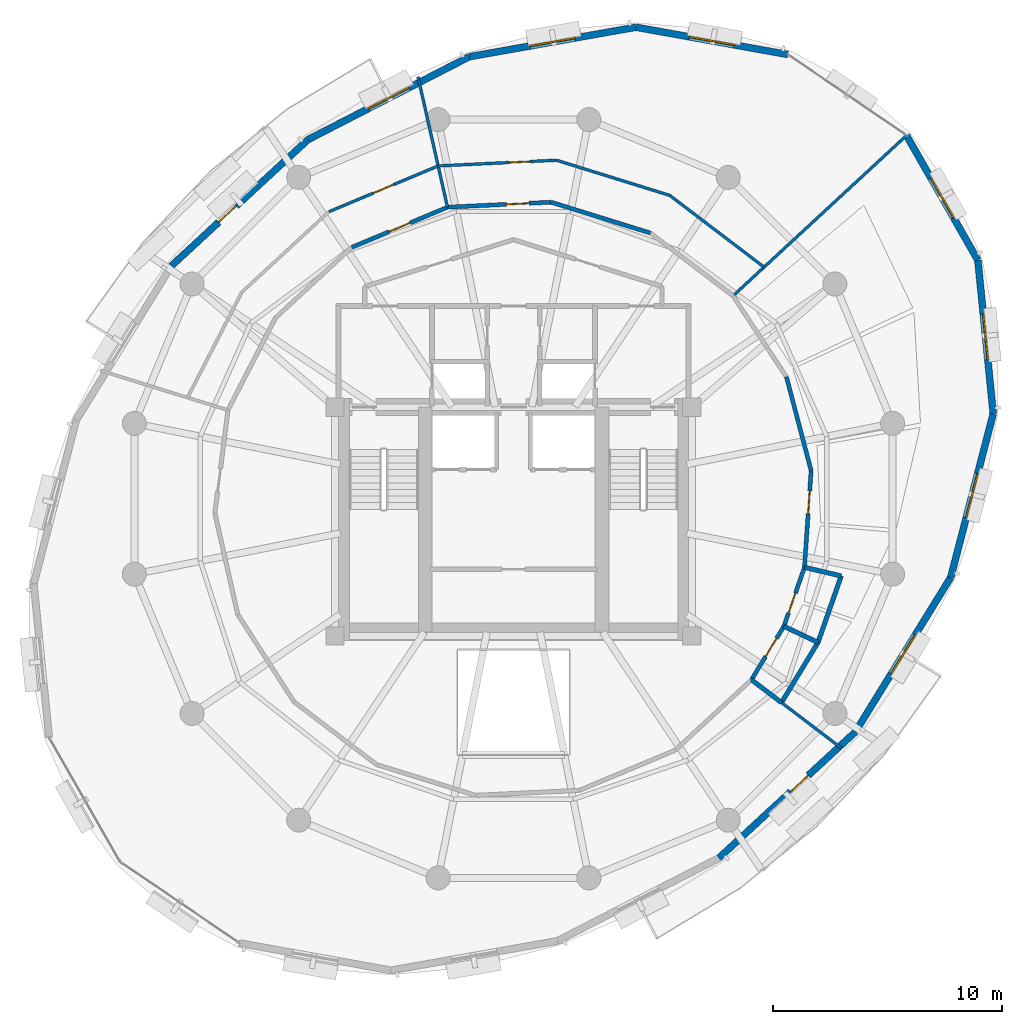
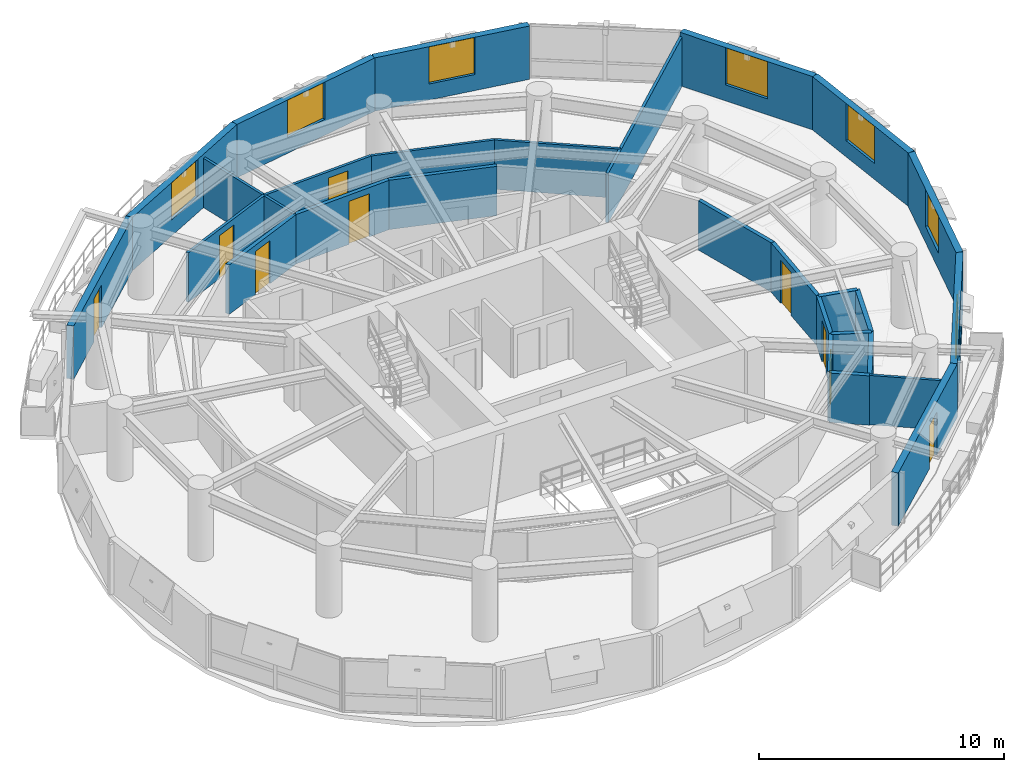
# One storey, part 9 of 12: 28 walls, 9 doors, 7 windows, 16 openings.
"""IFC4 building model written with IfcOpenShell, lengths in metres."""

from ifc_helpers import new_model, si_unit, direction, frame, frame_2d, origin, place, context, subcontext, project, spatial, rectangle, extrude, material, layer, layer_set, type_object, element, fill, save


model = new_model("IFC4")

# Units and contexts
model_context = context("Model", 3, precision=1e-05, world=origin(), true_north=direction((0.0, 1.0)))
body_context = subcontext(model_context, "Body", "Model", "MODEL_VIEW")
ifc_project = project(units=[si_unit("LENGTHUNIT", "METRE"), si_unit("AREAUNIT", "SQUARE_METRE"), si_unit("VOLUMEUNIT", "CUBIC_METRE"), si_unit("PLANEANGLEUNIT", "RADIAN"), si_unit("MASSUNIT", "GRAM", prefix="KILO"), si_unit("THERMODYNAMICTEMPERATUREUNIT", "KELVIN"), si_unit("POWERUNIT", "WATT")], contexts=[model_context])

# Site, building, storey
site_placement = place(None, origin())
site = spatial("IfcSite", under=ifc_project, at=site_placement, CompositionType="ELEMENT")
building_placement = place(site_placement, origin())
building = spatial("IfcBuilding", under=site, at=building_placement, Name="Ocrelia Relay Tower", CompositionType="ELEMENT")
storey_placement = place(building_placement, frame((0.0, 0.0, 209.60009765625)))
storey = spatial("IfcBuildingStorey", under=building, at=storey_placement, Name="L51", CompositionType="ELEMENT", Elevation=209.60009765625)

# Wall, opening, door
ifc_material_1 = material(Name="Gypsum Fireboard Partition EI60", Category="gypsum")
ifc_layer_1 = layer(ifc_material_1, 0.179931640625, Name="Gypsum Fireboard Partition EI60")
ifc_layer_set_1 = layer_set([ifc_layer_1], Name="Gypsum Fireboard Partition EI60")
wall_type_1 = type_object("IfcWallType", Name="W-CORR-EI60-180", PredefinedType="PARTITIONING", material=ifc_layer_set_1)
wall_1_placement = place(storey_placement, frame((44.40380859375, 18.0888671875, 0.0), z_axis=(0.0, 0.0, 1.0), x_axis=(0.518772936344, 0.854912065956, 0.0)))
wall_1 = element("IfcWall", 1, at=wall_1_placement, inside=storey, type_object=wall_type_1, Name="L51 Staff Toilet Corridor Wall", PredefinedType="PARTITIONING", context=body_context, shape_type="SweptSolid", body=[
    extrude(rectangle(XDim=2.732421875, YDim=0.179931640625, at=frame_2d((1.3662109375, 0.0))), origin(), (0.0, 0.0, 1.0), 2.4599609375),
])
opening_1_placement = place(wall_1_placement, frame((1.196533203125, 0.0, 0.0)))
opening_1 = element("IfcOpeningElement", 2, at=opening_1_placement, cuts=wall_1, Name="Opening D-WC92", PredefinedType="OPENING", context=body_context, shape_type="SweptSolid", body=[
    extrude(rectangle(XDim=0.919921875, YDim=2.10009765625, at=frame_2d((0.4599609375, 1.050048828125))), frame((0.0, 0.10009765625, 0.0), z_axis=(0.0, -1.0, 0.0), x_axis=(1.0, 0.0, 0.0)), (0.0, 0.0, 1.0), 0.199951171875),
])
ifc_material_2 = material(Name="Laminate washroom door", Category="wood")
door_type_1 = type_object("IfcDoorType", Name="DR-WC-920", OperationType="NOTDEFINED", PredefinedType="DOOR", material=ifc_material_2)
door_1_placement = place(opening_1_placement, origin())
door_1 = element("IfcDoor", 3, at=door_1_placement, inside=storey, type_object=door_type_1, Name="L51 Staff Toilet Door", OperationType="SINGLE_SWING_RIGHT", OverallHeight=2.10009765625, OverallWidth=0.919921875, PredefinedType="DOOR", context=body_context, shape_type="SweptSolid", body=[
    extrude(rectangle(XDim=0.919921875, YDim=2.10009765625, at=frame_2d((0.4599609375, 1.050048828125))), frame((0.0, 0.02490234375, 0.0), z_axis=(0.0, -1.0, 0.0), x_axis=(1.0, 0.0, 0.0)), (0.0, 0.0, 1.0), 0.050048828125),
])
fill(opening_1, door_1)

wall_2_placement = place(storey_placement, frame((45.8212890625, 20.4248046875, 0.0), z_axis=(0.0, 0.0, 1.0), x_axis=(0.329705586874, 0.944083802416, 0.0)))
wall_2 = element("IfcWall", 4, at=wall_2_placement, inside=storey, type_object=wall_type_1, Name="L51 Accessible Toilet Corridor Wall", PredefinedType="PARTITIONING", context=body_context, shape_type="SweptSolid", body=[
    extrude(rectangle(XDim=2.732421875, YDim=0.179931640625, at=frame_2d((1.3662109375, 0.0))), origin(), (0.0, 0.0, 1.0), 2.4599609375),
])
opening_2_placement = place(wall_2_placement, frame((0.61572265625, 0.0, 0.0)))
opening_2 = element("IfcOpeningElement", 5, at=opening_2_placement, cuts=wall_2, Name="Opening D-WC92", PredefinedType="OPENING", context=body_context, shape_type="SweptSolid", body=[
    extrude(rectangle(XDim=0.919921875, YDim=2.10009765625, at=frame_2d((0.4599609375, 1.050048828125))), frame((0.0, 0.10009765625, 0.0), z_axis=(0.0, -1.0, 0.0), x_axis=(1.0, 0.0, 0.0)), (0.0, 0.0, 1.0), 0.199951171875),
])
door_2_placement = place(opening_2_placement, origin())
door_2 = element("IfcDoor", 6, at=door_2_placement, inside=storey, type_object=door_type_1, Name="L51 Accessible Toilet Door", OperationType="SINGLE_SWING_LEFT", OverallHeight=2.10009765625, OverallWidth=0.919921875, PredefinedType="DOOR", context=body_context, shape_type="SweptSolid", body=[
    extrude(rectangle(XDim=0.919921875, YDim=2.10009765625, at=frame_2d((0.4599609375, 1.050048828125))), frame((0.0, 0.02490234375, 0.0), z_axis=(0.0, -1.0, 0.0), x_axis=(1.0, 0.0, 0.0)), (0.0, 0.0, 1.0), 0.050048828125),
])
fill(opening_2, door_2)

wall_3_placement = place(storey_placement, frame((46.72216796875, 23.00439453125, 0.0), z_axis=(0.0, 0.0, 1.0), x_axis=(0.06830007392, 0.997664823426, 0.0)))
wall_3 = element("IfcWall", 7, at=wall_3_placement, inside=storey, type_object=wall_type_1, Name="L51 Spectrum Operations Office Corridor Partition 1", PredefinedType="PARTITIONING", context=body_context, shape_type="SweptSolid", body=[
    extrude(rectangle(XDim=4.239501953125, YDim=0.179931640625, at=frame_2d((2.11962890625, 0.0))), origin(), (0.0, 0.0, 1.0), 2.4599609375),
])
opening_3_placement = place(wall_3_placement, frame((2.3544921875, 0.0, 0.0)))
opening_3 = element("IfcOpeningElement", 8, at=opening_3_placement, cuts=wall_3, Name="Opening D-RM100", PredefinedType="OPENING", context=body_context, shape_type="SweptSolid", body=[
    extrude(rectangle(XDim=1.0, YDim=2.14990234375, at=frame_2d((0.5, 1.074951171875))), frame((0.0, 0.10009765625, 0.0), z_axis=(0.0, -1.0, 0.0), x_axis=(1.0, 0.0, 0.0)), (0.0, 0.0, 1.0), 0.199951171875),
])
ifc_material_3 = material(Name="Acoustic oak veneer fire door", Category="wood")
door_type_2 = type_object("IfcDoorType", Name="DR-ROOM-FD60-1000", OperationType="NOTDEFINED", PredefinedType="DOOR", material=ifc_material_3)
door_3_placement = place(opening_3_placement, origin())
door_3 = element("IfcDoor", 9, at=door_3_placement, inside=storey, type_object=door_type_2, Name="L51 Spectrum Operations Office Entrance Door", OperationType="SINGLE_SWING_RIGHT", OverallHeight=2.14990234375, OverallWidth=1.0, PredefinedType="DOOR", context=body_context, shape_type="SweptSolid", body=[
    extrude(rectangle(XDim=1.0, YDim=2.14990234375, at=frame_2d((0.5, 1.074951171875))), frame((0.0, 0.02490234375, 0.0), z_axis=(0.0, -1.0, 0.0), x_axis=(1.0, 0.0, 0.0)), (0.0, 0.0, 1.0), 0.050048828125),
])
fill(opening_3, door_3)

# Walls
wall_4_placement = place(storey_placement, frame((47.01171875, 27.23388671875, 0.0), z_axis=(0.0, 0.0, 1.0), x_axis=(-0.254603851845, 0.967045437725, 0.0)))
element("IfcWall", 10, at=wall_4_placement, inside=storey, type_object=wall_type_1, Name="L51 Spectrum Operations Office Corridor Partition 2", PredefinedType="PARTITIONING", context=body_context, shape_type="SweptSolid", body=[
    extrude(rectangle(XDim=4.2392578125, YDim=0.179931640625, at=frame_2d((2.11962890625, 0.0))), origin(), (0.0, 0.0, 1.0), 2.4599609375),
])
wall_5_placement = place(storey_placement, frame((39.984375, 37.619384765625, 0.0), z_axis=(0.0, 0.0, 1.0), x_axis=(-0.955010569333, 0.296571766124, 0.0)))
element("IfcWall", 11, at=wall_5_placement, inside=storey, type_object=wall_type_1, Name="L51 Visitor Concierge Foyer Corridor Partition 2", PredefinedType="PARTITIONING", context=body_context, shape_type="SweptSolid", body=[
    extrude(rectangle(XDim=4.5390625, YDim=0.179931640625, at=frame_2d((2.26953125, 0.0))), origin(), (0.0, 0.0, 1.0), 2.4599609375),
])

# Wall, opening, door
wall_6_placement = place(storey_placement, frame((35.6494140625, 38.965576171875, 0.0), z_axis=(0.0, 0.0, 1.0), x_axis=(-0.998848461484, -0.047976567102, 0.0)))
wall_6 = element("IfcWall", 12, at=wall_6_placement, inside=storey, type_object=wall_type_1, Name="L51 Visitor Concierge Foyer Corridor Partition 3", PredefinedType="PARTITIONING", context=body_context, shape_type="SweptSolid", body=[
    extrude(rectangle(XDim=4.5390625, YDim=0.179931640625, at=frame_2d((2.26953125, 0.0))), origin(), (0.0, 0.0, 1.0), 2.4599609375),
])
opening_4_placement = place(wall_6_placement, frame((0.959716796875, 0.0, 0.0)))
opening_4 = element("IfcOpeningElement", 13, at=opening_4_placement, cuts=wall_6, Name="Opening D-RM100", PredefinedType="OPENING", context=body_context, shape_type="SweptSolid", body=[
    extrude(rectangle(XDim=1.0, YDim=2.14990234375, at=frame_2d((0.5, 1.074951171875))), frame((0.0, 0.10009765625, 0.0), z_axis=(0.0, -1.0, 0.0), x_axis=(1.0, 0.0, 0.0)), (0.0, 0.0, 1.0), 0.199951171875),
])
door_4_placement = place(opening_4_placement, origin())
door_4 = element("IfcDoor", 14, at=door_4_placement, inside=storey, type_object=door_type_2, Name="L51 Visitor Concierge Foyer Entrance Door", OperationType="SINGLE_SWING_LEFT", OverallHeight=2.14990234375, OverallWidth=1.0, PredefinedType="DOOR", context=body_context, shape_type="SweptSolid", body=[
    extrude(rectangle(XDim=1.0, YDim=2.14990234375, at=frame_2d((0.5, 1.074951171875))), frame((0.0, 0.02490234375, 0.0), z_axis=(0.0, -1.0, 0.0), x_axis=(1.0, 0.0, 0.0)), (0.0, 0.0, 1.0), 0.050048828125),
])
fill(opening_4, door_4)

wall_7_placement = place(storey_placement, frame((31.115478515625, 38.747802734375, 0.0), z_axis=(0.0, 0.0, 1.0), x_axis=(-0.922199331886, -0.386714872055, 0.0)))
wall_7 = element("IfcWall", 15, at=wall_7_placement, inside=storey, type_object=wall_type_1, Name="L51 Client Arrival Foyer Corridor Partition 1", PredefinedType="PARTITIONING", context=body_context, shape_type="SweptSolid", body=[
    extrude(rectangle(XDim=4.539306640625, YDim=0.179931640625, at=frame_2d((2.26953125, 0.0))), origin(), (0.0, 0.0, 1.0), 2.4599609375),
])
opening_5_placement = place(wall_7_placement, frame((1.76953125, 0.0, 0.0)))
opening_5 = element("IfcOpeningElement", 16, at=opening_5_placement, cuts=wall_7, Name="Opening D-RM100", PredefinedType="OPENING", context=body_context, shape_type="SweptSolid", body=[
    extrude(rectangle(XDim=1.0, YDim=2.14990234375, at=frame_2d((0.5, 1.074951171875))), frame((0.0, 0.10009765625, 0.0), z_axis=(0.0, -1.0, 0.0), x_axis=(1.0, 0.0, 0.0)), (0.0, 0.0, 1.0), 0.199951171875),
])
door_5_placement = place(opening_5_placement, origin())
door_5 = element("IfcDoor", 17, at=door_5_placement, inside=storey, type_object=door_type_2, Name="L51 Client Arrival Foyer Entrance Door", OperationType="SINGLE_SWING_LEFT", OverallHeight=2.14990234375, OverallWidth=1.0, PredefinedType="DOOR", context=body_context, shape_type="SweptSolid", body=[
    extrude(rectangle(XDim=1.0, YDim=2.14990234375, at=frame_2d((0.5, 1.074951171875))), frame((0.0, 0.02490234375, 0.0), z_axis=(0.0, -1.0, 0.0), x_axis=(1.0, 0.0, 0.0)), (0.0, 0.0, 1.0), 0.050048828125),
])
fill(opening_5, door_5)

# Wall, opening, window
ifc_material_4 = material(Name="Precast concrete C40/50 with oxide terracotta", Category="masonry")
ifc_layer_2 = layer(ifc_material_4, 0.300048828125, Name="Precast concrete C40/50 with oxide terracotta")
ifc_layer_set_2 = layer_set([ifc_layer_2], Name="Precast concrete C40/50 with oxide terracotta")
wall_type_2 = type_object("IfcWallType", Name="W-EXT-TERR-300", PredefinedType="SOLIDWALL", material=ifc_layer_set_2)
wall_8_placement = place(storey_placement, frame((45.9912109375, 45.421630859375, 0.0), z_axis=(0.0, 0.0, 1.0), x_axis=(-0.984179411135, 0.177174734931, 0.0)))
wall_8 = element("IfcWall", 18, at=wall_8_placement, inside=storey, type_object=wall_type_2, Name="L51 Oxide Terracotta Facade Wall 02", PredefinedType="SOLIDWALL", context=body_context, shape_type="SweptSolid", body=[
    extrude(rectangle(XDim=6.7451171875, YDim=0.300048828125, at=frame_2d((3.37255859375, 0.0))), origin(), (0.0, 0.0, 1.0), 2.659912109375),
])
opening_6_placement = place(wall_8_placement, frame((2.373046875, 0.0, 0.800048828125)))
opening_6 = element("IfcOpeningElement", 19, at=opening_6_placement, cuts=wall_8, Name="Opening W-03", PredefinedType="OPENING", context=body_context, shape_type="SweptSolid", body=[
    extrude(rectangle(XDim=2.0, YDim=1.85009765625, at=frame_2d((1.0, 0.925048828125))), frame((0.0, 0.16015625, 0.0), z_axis=(0.0, -1.0, 0.0), x_axis=(1.0, 0.0, 0.0)), (0.0, 0.0, 1.0), 0.320068359375),
])
ifc_material_5 = material(Name="Clear double-glazed low-E glass", Category="glass")
window_type = type_object("IfcWindowType", Name="WIN-Z3-2000x2200", PartitioningType="DOUBLE_PANEL_VERTICAL", PredefinedType="WINDOW", material=ifc_material_5)
window_1_placement = place(opening_6_placement, origin())
window_1 = element("IfcWindow", 20, at=window_1_placement, inside=storey, type_object=window_type, Name="L51 Facade Module Window 02", OverallHeight=1.85009765625, OverallWidth=2.0, PartitioningType="SINGLE_PANEL", PredefinedType="WINDOW", context=body_context, shape_type="SweptSolid", body=[
    extrude(rectangle(XDim=2.0, YDim=1.85009765625, at=frame_2d((1.0, 0.925048828125))), frame((0.0, 0.030029296875, 0.0), z_axis=(0.0, -1.0, 0.0), x_axis=(1.0, 0.0, 0.0)), (0.0, 0.0, 1.0), 0.06005859375),
])
fill(opening_6, window_1)

wall_9_placement = place(storey_placement, frame((39.352783203125, 46.61669921875, 0.0), z_axis=(0.0, 0.0, 1.0), x_axis=(-0.984642029992, -0.17458543116, 0.0)))
wall_9 = element("IfcWall", 21, at=wall_9_placement, inside=storey, type_object=wall_type_2, Name="L51 Oxide Terracotta Facade Wall 03", PredefinedType="SOLIDWALL", context=body_context, shape_type="SweptSolid", body=[
    extrude(rectangle(XDim=7.3974609375, YDim=0.300048828125, at=frame_2d((3.69873046875, 0.0))), origin(), (0.0, 0.0, 1.0), 2.659912109375),
])
opening_7_placement = place(wall_9_placement, frame((2.698974609375, 0.0, 0.800048828125)))
opening_7 = element("IfcOpeningElement", 22, at=opening_7_placement, cuts=wall_9, Name="Opening W-03", PredefinedType="OPENING", context=body_context, shape_type="SweptSolid", body=[
    extrude(rectangle(XDim=2.0, YDim=1.85009765625, at=frame_2d((1.0, 0.925048828125))), frame((0.0, 0.16015625, 0.0), z_axis=(0.0, -1.0, 0.0), x_axis=(1.0, 0.0, 0.0)), (0.0, 0.0, 1.0), 0.320068359375),
])
window_2_placement = place(opening_7_placement, origin())
window_2 = element("IfcWindow", 23, at=window_2_placement, inside=storey, type_object=window_type, Name="L51 Facade Module Window 03", OverallHeight=1.85009765625, OverallWidth=2.0, PartitioningType="SINGLE_PANEL", PredefinedType="WINDOW", context=body_context, shape_type="SweptSolid", body=[
    extrude(rectangle(XDim=2.0, YDim=1.85009765625, at=frame_2d((1.0, 0.925048828125))), frame((0.0, 0.030029296875, 0.0), z_axis=(0.0, -1.0, 0.0), x_axis=(1.0, 0.0, 0.0)), (0.0, 0.0, 1.0), 0.06005859375),
])
fill(opening_7, window_2)

wall_10_placement = place(storey_placement, frame((32.06884765625, 45.3251953125, 0.0), z_axis=(0.0, 0.0, 1.0), x_axis=(-0.889489208074, -0.456956178117, 0.0)))
wall_10 = element("IfcWall", 24, at=wall_10_placement, inside=storey, type_object=wall_type_2, Name="L51 Oxide Terracotta Facade Wall 04", PredefinedType="SOLIDWALL", context=body_context, shape_type="SweptSolid", body=[
    extrude(rectangle(XDim=7.927001953125, YDim=0.300048828125, at=frame_2d((3.96337890625, 0.0))), origin(), (0.0, 0.0, 1.0), 2.659912109375),
])
opening_8_placement = place(wall_10_placement, frame((2.964111328125, 0.0, 0.800048828125)))
opening_8 = element("IfcOpeningElement", 25, at=opening_8_placement, cuts=wall_10, Name="Opening W-03", PredefinedType="OPENING", context=body_context, shape_type="SweptSolid", body=[
    extrude(rectangle(XDim=2.0, YDim=1.85009765625, at=frame_2d((1.0, 0.925048828125))), frame((0.0, 0.16015625, 0.0), z_axis=(0.0, -1.0, 0.0), x_axis=(1.0, 0.0, 0.0)), (0.0, 0.0, 1.0), 0.320068359375),
])
window_3_placement = place(opening_8_placement, origin())
window_3 = element("IfcWindow", 26, at=window_3_placement, inside=storey, type_object=window_type, Name="L51 Facade Module Window 04", OverallHeight=1.85009765625, OverallWidth=2.0, PartitioningType="SINGLE_PANEL", PredefinedType="WINDOW", context=body_context, shape_type="SweptSolid", body=[
    extrude(rectangle(XDim=2.0, YDim=1.85009765625, at=frame_2d((1.0, 0.925048828125))), frame((0.0, 0.030029296875, 0.0), z_axis=(0.0, -1.0, 0.0), x_axis=(1.0, 0.0, 0.0)), (0.0, 0.0, 1.0), 0.06005859375),
])
fill(opening_8, window_3)

# Wall, opening, door
wall_11_placement = place(storey_placement, frame((25.017822265625, 41.702880859375, 0.0), z_axis=(0.0, 0.0, 1.0), x_axis=(-0.734320664355, -0.678802741525, 0.0)))
wall_11 = element("IfcWall", 27, at=wall_11_placement, inside=storey, type_object=wall_type_2, Name="L51 Oxide Terracotta Facade Wall 05", PredefinedType="SOLIDWALL", context=body_context, shape_type="SweptSolid", body=[
    extrude(rectangle(XDim=8.126708984375, YDim=0.300048828125, at=frame_2d((4.0634765625, 0.0))), origin(), (0.0, 0.0, 1.0), 2.659912109375),
])
opening_9_placement = place(wall_11_placement, frame((4.27001953125, 0.0, 0.0)))
opening_9 = element("IfcOpeningElement", 28, at=opening_9_placement, cuts=wall_11, Name="Opening DB-105", PredefinedType="OPENING", context=body_context, shape_type="SweptSolid", body=[
    extrude(rectangle(XDim=1.050048828125, YDim=2.14990234375, at=frame_2d((0.52490234375, 1.074951171875))), frame((0.0, 0.16015625, 0.0), z_axis=(0.0, -1.0, 0.0), x_axis=(1.0, 0.0, 0.0)), (0.0, 0.0, 1.0), 0.320068359375),
])
ifc_material_6 = material(Name="Thermally broken aluminium and clear glass", Category="aluminium")
door_type_3 = type_object("IfcDoorType", Name="DR-BALC-1050", OperationType="NOTDEFINED", PredefinedType="DOOR", material=ifc_material_6)
door_6_placement = place(opening_9_placement, origin())
door_6 = element("IfcDoor", 29, at=door_6_placement, inside=storey, type_object=door_type_3, Name="L51 Planted Loggia Balcony Door B1", OperationType="SINGLE_SWING_LEFT", OverallHeight=2.14990234375, OverallWidth=1.050048828125, PredefinedType="DOOR", context=body_context, shape_type="SweptSolid", body=[
    extrude(rectangle(XDim=1.050048828125, YDim=2.14990234375, at=frame_2d((0.52490234375, 1.074951171875))), frame((0.0, 0.02490234375, 0.0), z_axis=(0.0, -1.0, 0.0), x_axis=(1.0, 0.0, 0.0)), (0.0, 0.0, 1.0), 0.050048828125),
])
fill(opening_9, door_6)

wall_12_placement = place(storey_placement, frame((42.982177734375, 10.297119140625, 0.0), z_axis=(0.0, 0.0, 1.0), x_axis=(0.734320664355, 0.678802741525, 0.0)))
wall_12 = element("IfcWall", 30, at=wall_12_placement, inside=storey, type_object=wall_type_2, Name="L51 Oxide Terracotta Facade Wall 14", PredefinedType="SOLIDWALL", context=body_context, shape_type="SweptSolid", body=[
    extrude(rectangle(XDim=8.126708984375, YDim=0.300048828125, at=frame_2d((4.0634765625, 0.0))), origin(), (0.0, 0.0, 1.0), 2.659912109375),
])
opening_10_placement = place(wall_12_placement, frame((4.27001953125, 0.0, 0.0)))
opening_10 = element("IfcOpeningElement", 31, at=opening_10_placement, cuts=wall_12, Name="Opening DB-105", PredefinedType="OPENING", context=body_context, shape_type="SweptSolid", body=[
    extrude(rectangle(XDim=1.050048828125, YDim=2.14990234375, at=frame_2d((0.52490234375, 1.074951171875))), frame((0.0, 0.16015625, 0.0), z_axis=(0.0, -1.0, 0.0), x_axis=(1.0, 0.0, 0.0)), (0.0, 0.0, 1.0), 0.320068359375),
])
door_7_placement = place(opening_10_placement, origin())
door_7 = element("IfcDoor", 32, at=door_7_placement, inside=storey, type_object=door_type_3, Name="L51 Planted Loggia Balcony Door B2", OperationType="SINGLE_SWING_LEFT", OverallHeight=2.14990234375, OverallWidth=1.050048828125, PredefinedType="DOOR", context=body_context, shape_type="SweptSolid", body=[
    extrude(rectangle(XDim=1.050048828125, YDim=2.14990234375, at=frame_2d((0.52490234375, 1.074951171875))), frame((0.0, 0.02490234375, 0.0), z_axis=(0.0, -1.0, 0.0), x_axis=(1.0, 0.0, 0.0)), (0.0, 0.0, 1.0), 0.050048828125),
])
fill(opening_10, door_7)

# Wall, opening, window
wall_13_placement = place(storey_placement, frame((48.94970703125, 15.8134765625, 0.0), z_axis=(0.0, 0.0, 1.0), x_axis=(0.525351245348, 0.850885461746, 0.0)))
wall_13 = element("IfcWall", 33, at=wall_13_placement, inside=storey, type_object=wall_type_2, Name="L51 Oxide Terracotta Facade Wall 15", PredefinedType="SOLIDWALL", context=body_context, shape_type="SweptSolid", body=[
    extrude(rectangle(XDim=7.92724609375, YDim=0.300048828125, at=frame_2d((3.963623046875, 0.0))), origin(), (0.0, 0.0, 1.0), 2.659912109375),
])
opening_11_placement = place(wall_13_placement, frame((2.964111328125, 0.0, 0.800048828125)))
opening_11 = element("IfcOpeningElement", 34, at=opening_11_placement, cuts=wall_13, Name="Opening W-03", PredefinedType="OPENING", context=body_context, shape_type="SweptSolid", body=[
    extrude(rectangle(XDim=2.0, YDim=1.85009765625, at=frame_2d((1.0, 0.925048828125))), frame((0.0, 0.16015625, 0.0), z_axis=(0.0, -1.0, 0.0), x_axis=(1.0, 0.0, 0.0)), (0.0, 0.0, 1.0), 0.320068359375),
])
window_4_placement = place(opening_11_placement, origin())
window_4 = element("IfcWindow", 35, at=window_4_placement, inside=storey, type_object=window_type, Name="L51 Facade Module Window 15", OverallHeight=1.85009765625, OverallWidth=2.0, PartitioningType="SINGLE_PANEL", PredefinedType="WINDOW", context=body_context, shape_type="SweptSolid", body=[
    extrude(rectangle(XDim=2.0, YDim=1.85009765625, at=frame_2d((1.0, 0.925048828125))), frame((0.0, 0.030029296875, 0.0), z_axis=(0.0, -1.0, 0.0), x_axis=(1.0, 0.0, 0.0)), (0.0, 0.0, 1.0), 0.06005859375),
])
fill(opening_11, window_4)

wall_14_placement = place(storey_placement, frame((53.1142578125, 22.55859375, 0.0), z_axis=(0.0, 0.0, 1.0), x_axis=(0.251316052119, 0.967905078996, 0.0)))
wall_14 = element("IfcWall", 36, at=wall_14_placement, inside=storey, type_object=wall_type_2, Name="L51 Oxide Terracotta Facade Wall 16", PredefinedType="SOLIDWALL", context=body_context, shape_type="SweptSolid", body=[
    extrude(rectangle(XDim=7.3974609375, YDim=0.300048828125, at=frame_2d((3.69873046875, 0.0))), origin(), (0.0, 0.0, 1.0), 2.659912109375),
])
opening_12_placement = place(wall_14_placement, frame((2.698974609375, 0.0, 0.800048828125)))
opening_12 = element("IfcOpeningElement", 37, at=opening_12_placement, cuts=wall_14, Name="Opening W-03", PredefinedType="OPENING", context=body_context, shape_type="SweptSolid", body=[
    extrude(rectangle(XDim=2.0, YDim=1.85009765625, at=frame_2d((1.0, 0.925048828125))), frame((0.0, 0.16015625, 0.0), z_axis=(0.0, -1.0, 0.0), x_axis=(1.0, 0.0, 0.0)), (0.0, 0.0, 1.0), 0.320068359375),
])
window_5_placement = place(opening_12_placement, origin())
window_5 = element("IfcWindow", 38, at=window_5_placement, inside=storey, type_object=window_type, Name="L51 Facade Module Window 16", OverallHeight=1.85009765625, OverallWidth=2.0, PartitioningType="SINGLE_PANEL", PredefinedType="WINDOW", context=body_context, shape_type="SweptSolid", body=[
    extrude(rectangle(XDim=2.0, YDim=1.85009765625, at=frame_2d((1.0, 0.925048828125))), frame((0.0, 0.030029296875, 0.0), z_axis=(0.0, -1.0, 0.0), x_axis=(1.0, 0.0, 0.0)), (0.0, 0.0, 1.0), 0.06005859375),
])
fill(opening_12, window_5)

wall_15_placement = place(storey_placement, frame((54.973388671875, 29.71875, 0.0), z_axis=(0.0, 0.0, 1.0), x_axis=(-0.099464298472, 0.995041131476, 0.0)))
wall_15 = element("IfcWall", 39, at=wall_15_placement, inside=storey, type_object=wall_type_2, Name="L51 Oxide Terracotta Facade Wall 17", PredefinedType="SOLIDWALL", context=body_context, shape_type="SweptSolid", body=[
    extrude(rectangle(XDim=6.7451171875, YDim=0.300048828125, at=frame_2d((3.37255859375, 0.0))), origin(), (0.0, 0.0, 1.0), 2.659912109375),
])
opening_13_placement = place(wall_15_placement, frame((2.373046875, 0.0, 0.800048828125)))
opening_13 = element("IfcOpeningElement", 40, at=opening_13_placement, cuts=wall_15, Name="Opening W-03", PredefinedType="OPENING", context=body_context, shape_type="SweptSolid", body=[
    extrude(rectangle(XDim=2.0, YDim=1.85009765625, at=frame_2d((1.0, 0.925048828125))), frame((0.0, 0.16015625, 0.0), z_axis=(0.0, -1.0, 0.0), x_axis=(1.0, 0.0, 0.0)), (0.0, 0.0, 1.0), 0.320068359375),
])
window_6_placement = place(opening_13_placement, origin())
window_6 = element("IfcWindow", 41, at=window_6_placement, inside=storey, type_object=window_type, Name="L51 Facade Module Window 17", OverallHeight=1.85009765625, OverallWidth=2.0, PartitioningType="SINGLE_PANEL", PredefinedType="WINDOW", context=body_context, shape_type="SweptSolid", body=[
    extrude(rectangle(XDim=2.0, YDim=1.85009765625, at=frame_2d((1.0, 0.925048828125))), frame((0.0, 0.030029296875, 0.0), z_axis=(0.0, -1.0, 0.0), x_axis=(1.0, 0.0, 0.0)), (0.0, 0.0, 1.0), 0.06005859375),
])
fill(opening_13, window_6)

wall_16_placement = place(storey_placement, frame((54.302490234375, 36.430419921875, 0.0), z_axis=(0.0, 0.0, 1.0), x_axis=(-0.496519722851, 0.868025440192, 0.0)))
wall_16 = element("IfcWall", 42, at=wall_16_placement, inside=storey, type_object=wall_type_2, Name="L51 Oxide Terracotta Facade Wall 18", PredefinedType="SOLIDWALL", context=body_context, shape_type="SweptSolid", body=[
    extrude(rectangle(XDim=6.282470703125, YDim=0.300048828125, at=frame_2d((3.14111328125, 0.0))), origin(), (0.0, 0.0, 1.0), 2.659912109375),
])
opening_14_placement = place(wall_16_placement, frame((2.14111328125, 0.0, 0.800048828125)))
opening_14 = element("IfcOpeningElement", 43, at=opening_14_placement, cuts=wall_16, Name="Opening W-03", PredefinedType="OPENING", context=body_context, shape_type="SweptSolid", body=[
    extrude(rectangle(XDim=2.0, YDim=1.85009765625, at=frame_2d((1.0, 0.925048828125))), frame((0.0, 0.16015625, 0.0), z_axis=(0.0, -1.0, 0.0), x_axis=(1.0, 0.0, 0.0)), (0.0, 0.0, 1.0), 0.320068359375),
])
window_7_placement = place(opening_14_placement, origin())
window_7 = element("IfcWindow", 44, at=window_7_placement, inside=storey, type_object=window_type, Name="L51 Facade Module Window 18", OverallHeight=1.85009765625, OverallWidth=2.0, PartitioningType="SINGLE_PANEL", PredefinedType="WINDOW", context=body_context, shape_type="SweptSolid", body=[
    extrude(rectangle(XDim=2.0, YDim=1.85009765625, at=frame_2d((1.0, 0.925048828125))), frame((0.0, 0.030029296875, 0.0), z_axis=(0.0, -1.0, 0.0), x_axis=(1.0, 0.0, 0.0)), (0.0, 0.0, 1.0), 0.06005859375),
])
fill(opening_14, window_7)

# Walls
ifc_material_7 = material(Name="Acoustic Fireboard Partition EI60", Category="gypsum")
ifc_layer_3 = layer(ifc_material_7, 0.125, Name="Acoustic Fireboard Partition EI60")
ifc_layer_set_3 = layer_set([ifc_layer_3], Name="Acoustic Fireboard Partition EI60")
wall_type_3 = type_object("IfcWallType", Name="W-PART-125", PredefinedType="PARTITIONING", material=ifc_layer_set_3)
wall_17_placement = place(storey_placement, frame((45.717041015625, 17.090087890625, 0.0), z_axis=(0.0, 0.0, 1.0), x_axis=(0.795987876094, -0.605312564805, 0.0)))
element("IfcWall", 45, at=wall_17_placement, inside=storey, type_object=wall_type_3, Name="L51 Spectrum Operations Office Radial Partition", PredefinedType="PARTITIONING", context=body_context, shape_type="SweptSolid", body=[
    extrude(rectangle(XDim=3.293212890625, YDim=0.125, at=frame_2d((1.646484375, 0.0))), origin(), (0.0, 0.0, 1.0), 2.4599609375),
])
wall_18_placement = place(storey_placement, frame((43.59765625, 34.871826171875, 0.0), z_axis=(0.0, 0.0, 1.0), x_axis=(0.734320301432, 0.67880313413, 0.0)))
element("IfcWall", 46, at=wall_18_placement, inside=storey, type_object=wall_type_3, Name="L51 Spectrum Operations Office Radial Partition", PredefinedType="PARTITIONING", context=body_context, shape_type="SweptSolid", body=[
    extrude(rectangle(XDim=10.329833984375, YDim=0.125, at=frame_2d((5.1650390625, 0.0))), origin(), (0.0, 0.0, 1.0), 2.4599609375),
])
wall_19_placement = place(storey_placement, frame((31.115478515625, 38.747802734375, 0.0), z_axis=(0.0, 0.0, 1.0), x_axis=(-0.22070629689, 0.97534031523, 0.0)))
element("IfcWall", 47, at=wall_19_placement, inside=storey, type_object=wall_type_3, Name="L51 Visitor Concierge Foyer Radial Partition", PredefinedType="PARTITIONING", context=body_context, shape_type="SweptSolid", body=[
    extrude(rectangle(XDim=5.83740234375, YDim=0.125, at=frame_2d((2.918701171875, 0.0))), origin(), (0.0, 0.0, 1.0), 2.4599609375),
])
wall_20_placement = place(storey_placement, frame((44.9560546875, 36.127685546875, 0.0), z_axis=(0.0, 0.0, 1.0), x_axis=(-0.795990563436, 0.605309030926, 0.0)))
element("IfcWall", 48, at=wall_20_placement, inside=storey, type_object=wall_type_3, Name="L51 Perimeter Visitor Concierge Foyer Mid-Ring Partition 1", PredefinedType="PARTITIONING", context=body_context, shape_type="SweptSolid", body=[
    extrude(rectangle(XDim=5.181640625, YDim=0.125, at=frame_2d((2.5908203125, 0.0))), origin(), (0.0, 0.0, 1.0), 2.4599609375),
])
wall_21_placement = place(storey_placement, frame((40.83154296875, 39.26416015625, 0.0), z_axis=(0.0, 0.0, 1.0), x_axis=(-0.955019975116, 0.29654147624, 0.0)))
element("IfcWall", 49, at=wall_21_placement, inside=storey, type_object=wall_type_3, Name="L51 Perimeter Visitor Concierge Foyer Mid-Ring Partition 2", PredefinedType="PARTITIONING", context=body_context, shape_type="SweptSolid", body=[
    extrude(rectangle(XDim=5.181884765625, YDim=0.125, at=frame_2d((2.5908203125, 0.0))), origin(), (0.0, 0.0, 1.0), 2.4599609375),
])

# Wall, opening, door
wall_22_placement = place(storey_placement, frame((35.8828125, 40.80078125, 0.0), z_axis=(0.0, 0.0, 1.0), x_axis=(-0.998846717186, -0.048012868759, 0.0)))
wall_22 = element("IfcWall", 50, at=wall_22_placement, inside=storey, type_object=wall_type_3, Name="L51 Perimeter Visitor Concierge Foyer Mid-Ring Partition 3", PredefinedType="PARTITIONING", context=body_context, shape_type="SweptSolid", body=[
    extrude(rectangle(XDim=5.181396484375, YDim=0.125, at=frame_2d((2.5908203125, 0.0))), origin(), (0.0, 0.0, 1.0), 2.4599609375),
])
opening_15_placement = place(wall_22_placement, frame((1.14794921875, 0.0, 0.0)))
opening_15 = element("IfcOpeningElement", 51, at=opening_15_placement, cuts=wall_22, Name="Opening D-RM95", PredefinedType="OPENING", context=body_context, shape_type="SweptSolid", body=[
    extrude(rectangle(XDim=0.949951171875, YDim=2.14990234375, at=frame_2d((0.47509765625, 1.074951171875))), frame((0.0, 0.072509765625, 0.0), z_axis=(0.0, -1.0, 0.0), x_axis=(1.0, 0.0, 0.0)), (0.0, 0.0, 1.0), 0.14501953125),
])
door_type_4 = type_object("IfcDoorType", Name="DR-ROOM-950", OperationType="NOTDEFINED", PredefinedType="DOOR", material=ifc_material_3)
door_8_placement = place(opening_15_placement, origin())
door_8 = element("IfcDoor", 52, at=door_8_placement, inside=storey, type_object=door_type_4, Name="L51 Perimeter Visitor Concierge Foyer Connecting Door", OperationType="SINGLE_SWING_RIGHT", OverallHeight=2.14990234375, OverallWidth=0.949951171875, PredefinedType="DOOR", context=body_context, shape_type="SweptSolid", body=[
    extrude(rectangle(XDim=0.949951171875, YDim=2.14990234375, at=frame_2d((0.47509765625, 1.074951171875))), frame((0.0, 0.02490234375, 0.0), z_axis=(0.0, -1.0, 0.0), x_axis=(1.0, 0.0, 0.0)), (0.0, 0.0, 1.0), 0.050048828125),
])
fill(opening_15, door_8)

wall_23_placement = place(storey_placement, frame((30.707275390625, 40.552001953125, 0.0), z_axis=(0.0, 0.0, 1.0), x_axis=(-0.922211726453, -0.386685313391, 0.0)))
wall_23 = element("IfcWall", 53, at=wall_23_placement, inside=storey, type_object=wall_type_3, Name="L51 Perimeter Client Arrival Foyer Mid-Ring Partition 1", PredefinedType="PARTITIONING", context=body_context, shape_type="SweptSolid", body=[
    extrude(rectangle(XDim=5.181640625, YDim=0.125, at=frame_2d((2.5908203125, 0.0))), origin(), (0.0, 0.0, 1.0), 2.4599609375),
])
opening_16_placement = place(wall_23_placement, frame((2.11572265625, 0.0, 0.0)))
opening_16 = element("IfcOpeningElement", 54, at=opening_16_placement, cuts=wall_23, Name="Opening D-RM95", PredefinedType="OPENING", context=body_context, shape_type="SweptSolid", body=[
    extrude(rectangle(XDim=0.949951171875, YDim=2.14990234375, at=frame_2d((0.47509765625, 1.074951171875))), frame((0.0, 0.072509765625, 0.0), z_axis=(0.0, -1.0, 0.0), x_axis=(1.0, 0.0, 0.0)), (0.0, 0.0, 1.0), 0.14501953125),
])
door_9_placement = place(opening_16_placement, origin())
door_9 = element("IfcDoor", 55, at=door_9_placement, inside=storey, type_object=door_type_4, Name="L51 Perimeter Client Arrival Foyer Connecting Door", OperationType="SINGLE_SWING_RIGHT", OverallHeight=2.14990234375, OverallWidth=0.949951171875, PredefinedType="DOOR", context=body_context, shape_type="SweptSolid", body=[
    extrude(rectangle(XDim=0.949951171875, YDim=2.14990234375, at=frame_2d((0.47509765625, 1.074951171875))), frame((0.0, 0.02490234375, 0.0), z_axis=(0.0, -1.0, 0.0), x_axis=(1.0, 0.0, 0.0)), (0.0, 0.0, 1.0), 0.050048828125),
])
fill(opening_16, door_9)

# Walls
ifc_material_8 = material(Name="Moisture-Resistant Fireboard Chase Wall EI60", Category="gypsum")
ifc_layer_4 = layer(ifc_material_8, 0.199951171875, Name="Moisture-Resistant Fireboard Chase Wall EI60")
ifc_layer_set_4 = layer_set([ifc_layer_4], Name="Moisture-Resistant Fireboard Chase Wall EI60")
wall_type_4 = type_object("IfcWallType", Name="W-PLUMB-200", PredefinedType="PLUMBINGWALL", material=ifc_layer_set_4)
wall_24_placement = place(storey_placement, frame((44.40380859375, 18.0888671875, 0.0), z_axis=(0.0, 0.0, 1.0), x_axis=(0.795951140459, -0.605360869236, 0.0)))
element("IfcWall", 56, at=wall_24_placement, inside=storey, type_object=wall_type_4, Name="L51 Staff Toilet Plumbing Radial Wall", PredefinedType="PLUMBINGWALL", context=body_context, shape_type="SweptSolid", body=[
    extrude(rectangle(XDim=1.64990234375, YDim=0.199951171875, at=frame_2d((0.824951171875, 0.0))), origin(), (0.0, 0.0, 1.0), 2.4599609375),
])
wall_25_placement = place(storey_placement, frame((45.8212890625, 20.4248046875, 0.0), z_axis=(0.0, 0.0, 1.0), x_axis=(0.904459596354, -0.426559302517, 0.0)))
element("IfcWall", 57, at=wall_25_placement, inside=storey, type_object=wall_type_4, Name="L51 Staff Toilet Plumbing Radial Wall", PredefinedType="PLUMBINGWALL", context=body_context, shape_type="SweptSolid", body=[
    extrude(rectangle(XDim=1.650146484375, YDim=0.199951171875, at=frame_2d((0.8251953125, 0.0))), origin(), (0.0, 0.0, 1.0), 2.4599609375),
])
wall_26_placement = place(storey_placement, frame((45.717041015625, 17.090087890625, 0.0), z_axis=(0.0, 0.0, 1.0), x_axis=(0.518829074504, 0.854877997991, 0.0)))
element("IfcWall", 58, at=wall_26_placement, inside=storey, type_object=wall_type_4, Name="L51 Staff Toilet Back Plumbing Wall", PredefinedType="PLUMBINGWALL", context=body_context, shape_type="SweptSolid", body=[
    extrude(rectangle(XDim=3.077392578125, YDim=0.199951171875, at=frame_2d((1.53857421875, 0.0))), origin(), (0.0, 0.0, 1.0), 2.4599609375),
])
wall_27_placement = place(storey_placement, frame((46.72216796875, 23.00439453125, 0.0), z_axis=(0.0, 0.0, 1.0), x_axis=(0.973376399286, -0.229212533064, 0.0)))
element("IfcWall", 59, at=wall_27_placement, inside=storey, type_object=wall_type_4, Name="L51 Accessible Toilet Plumbing Radial Wall", PredefinedType="PLUMBINGWALL", context=body_context, shape_type="SweptSolid", body=[
    extrude(rectangle(XDim=1.64990234375, YDim=0.199951171875, at=frame_2d((0.824951171875, 0.0))), origin(), (0.0, 0.0, 1.0), 2.4599609375),
])
wall_28_placement = place(storey_placement, frame((47.313720703125, 19.720947265625, 0.0), z_axis=(0.0, 0.0, 1.0), x_axis=(0.329643547308, 0.944105466417, 0.0)))
element("IfcWall", 60, at=wall_28_placement, inside=storey, type_object=wall_type_4, Name="L51 Accessible Toilet Back Plumbing Wall", PredefinedType="PLUMBINGWALL", context=body_context, shape_type="SweptSolid", body=[
    extrude(rectangle(XDim=3.077392578125, YDim=0.199951171875, at=frame_2d((1.53857421875, 0.0))), origin(), (0.0, 0.0, 1.0), 2.4599609375),
])

save(model, "model.ifc")
